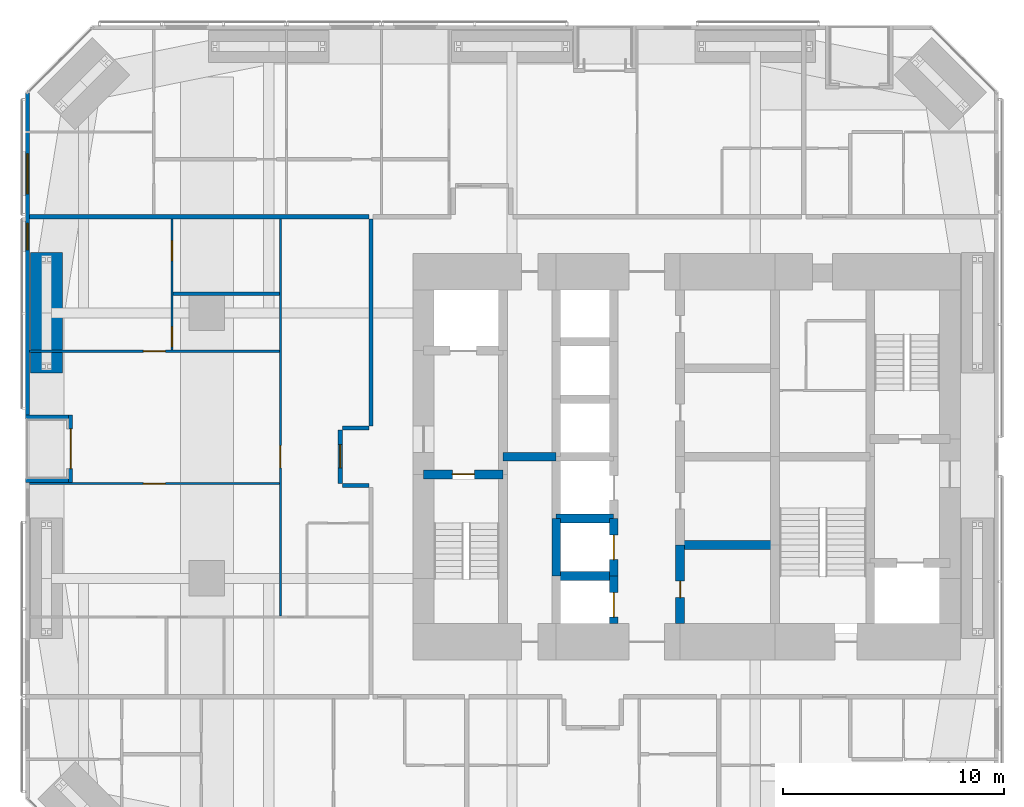
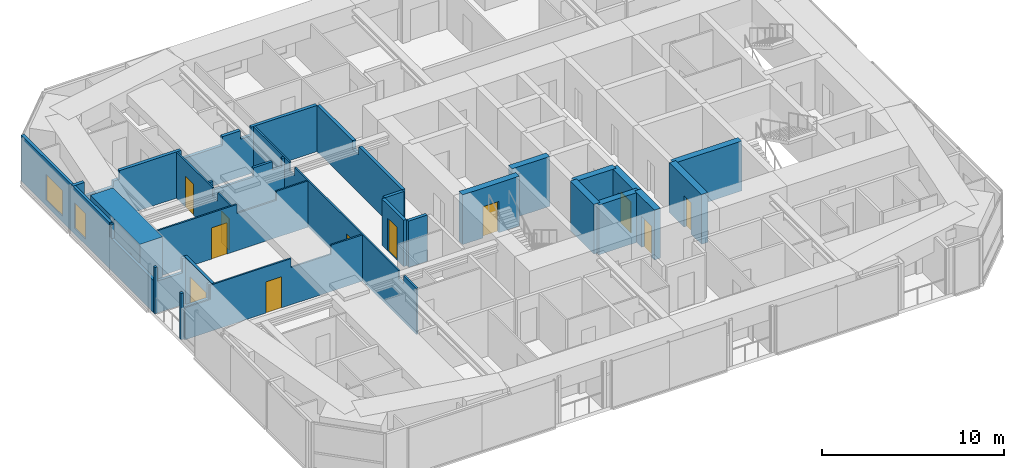
# One storey, part 18 of 23: 24 walls, 11 doors, 2 windows, 13 openings.
"""IFC4 building model written with IfcOpenShell, lengths in metres."""

import ifcopenshell
import ifcopenshell.guid

model = None  # the IFC model being written
_history = None  # IfcOwnerHistory: only IFC2X3 demands one
_inside = {}  # id of a spatial element -> (the spatial element, [elements in it])
_under = {}  # id of a project, library or spatial element -> (it, [spatial elements below it])
_declared = {}  # id of a project -> (the project, [libraries it declares])
_typed = {}  # id of a type object -> (the type object, [elements of that type])
_made_of = {}  # id of a material, layer set ... -> (it, [elements and type objects made of it])


def new_model(schema):
    """Start an empty IFC model of exactly this schema.

    Asked for "IFC4X3", IfcOpenShell would pick the latest addendum, in which some entities
    have other attributes; the version numbers below select the first issue.
    IFC2X3 requires an IfcOwnerHistory on every rooted entity: one is made here for all.
    """
    global model, _history
    if schema == "IFC4X3":
        model = ifcopenshell.file(schema_version=(4, 3, 0, 0))
    else:
        model = ifcopenshell.file(schema=schema)
    _inside.clear()
    _under.clear()
    _declared.clear()
    _typed.clear()
    _made_of.clear()
    _history = None
    if model.schema == "IFC2X3":
        org = make("IfcOrganization", Name="unknown")
        user = make(
            "IfcPersonAndOrganization",
            ThePerson=make("IfcPerson", FamilyName="unknown"),
            TheOrganization=org,
        )
        app = make(
            "IfcApplication",
            ApplicationDeveloper=org,
            Version="unknown",
            ApplicationFullName="unknown",
            ApplicationIdentifier="unknown",
        )
        _history = make(
            "IfcOwnerHistory",
            OwningUser=user,
            OwningApplication=app,
            ChangeAction="ADDED",
            CreationDate=0,
        )
    return model


def make(cls, **values):
    """One entity of the class cls with the attributes given. An attribute that is None is left unset."""
    return model.create_entity(
        cls, **{name: value for name, value in values.items() if value is not None}
    )


def rooted(cls, **values):
    """An entity with a GlobalId (a new one), such as an element, a storey or a relation."""
    return make(cls, GlobalId=ifcopenshell.guid.new(), OwnerHistory=_history, **values)


def si_unit(unit_type, name, prefix=None):
    """IfcSIUnit, for example si_unit("LENGTHUNIT", "METRE", prefix="MILLI")."""
    return make("IfcSIUnit", UnitType=unit_type, Prefix=prefix, Name=name)


def assignment(units):
    """IfcUnitAssignment: the units of a project."""
    return None if units is None else make("IfcUnitAssignment", Units=units)


def point(xyz):
    """IfcCartesianPoint."""
    return None if xyz is None else make("IfcCartesianPoint", Coordinates=xyz)


def direction(xyz):
    """IfcDirection."""
    return None if xyz is None else make("IfcDirection", DirectionRatios=xyz)


def frame(location, z_axis=None, x_axis=None):
    """IfcAxis2Placement3D, a coordinate frame: its origin and axes. An axis left out is left unset."""
    return make(
        "IfcAxis2Placement3D",
        Location=point(location),
        Axis=direction(z_axis),
        RefDirection=direction(x_axis),
    )


def frame_2d(location, x_axis=None):
    """IfcAxis2Placement2D, a coordinate frame in the plane: its origin and x axis."""
    return make(
        "IfcAxis2Placement2D", Location=point(location), RefDirection=direction(x_axis)
    )


def origin():
    """The frame at (0, 0, 0) with its axes left unset."""
    return frame((0.0, 0.0, 0.0))


def place(relative_to, where):
    """IfcLocalPlacement: puts the frame where relative to a parent placement (None: the world)."""
    return make(
        "IfcLocalPlacement", PlacementRelTo=relative_to, RelativePlacement=where
    )


def context(
    kind, dimensions, precision=None, world=None, true_north=None, identifier=None
):
    """IfcGeometricRepresentationContext, for example the 3D "Model" context."""
    return make(
        "IfcGeometricRepresentationContext",
        ContextIdentifier=identifier,
        ContextType=kind,
        CoordinateSpaceDimension=dimensions,
        Precision=precision,
        WorldCoordinateSystem=world,
        TrueNorth=true_north,
    )


def subcontext(parent, identifier, kind, view, scale=None):
    """IfcGeometricRepresentationSubContext, for example "Body" below "Model"."""
    return make(
        "IfcGeometricRepresentationSubContext",
        ContextIdentifier=identifier,
        ContextType=kind,
        ParentContext=parent,
        TargetScale=scale,
        TargetView=view,
    )


def project(units=None, contexts=None):
    """IfcProject with its units and contexts."""
    return rooted(
        "IfcProject",
        Name="project",
        RepresentationContexts=contexts,
        UnitsInContext=assignment(units),
    )


def spatial(cls, under=None, at=None, **own):
    """A site, building, storey or space (cls), placed at a placement, below another one or the project."""
    s = rooted(cls, ObjectPlacement=at, **own)
    if under is not None:
        _under.setdefault(under.id(), (under, []))[1].append(s)
    return s


def polyline(points):
    """IfcPolyline through the points."""
    return make("IfcPolyline", Points=[point(p) for p in points])


def profile(cls, at=None, kind="AREA", **sizes):
    """A parametric profile (cls). Its sizes go by their IFC names, for example OverallWidth=200.0."""
    return make(cls, ProfileType=kind, Position=at, **sizes)


def rectangle(**sizes):
    """IfcRectangleProfileDef."""
    return profile("IfcRectangleProfileDef", **sizes)


def outline(outer, holes=None, kind="AREA"):
    """IfcArbitraryClosedProfileDef: a profile drawn as a closed curve; with holes, ...WithVoids."""
    if holes is None:
        return make("IfcArbitraryClosedProfileDef", ProfileType=kind, OuterCurve=outer)
    return make(
        "IfcArbitraryProfileDefWithVoids",
        ProfileType=kind,
        OuterCurve=outer,
        InnerCurves=holes,
    )


def extrude(swept, where, along, depth):
    """IfcExtrudedAreaSolid: the profile swept, set in the frame where, extruded along a direction by depth."""
    return make(
        "IfcExtrudedAreaSolid",
        SweptArea=swept,
        Position=where,
        ExtrudedDirection=direction(along),
        Depth=depth,
    )


def shape(context_of_items, identifier, shape_type, items):
    """IfcShapeRepresentation: the items that make up one representation, for example the "Body"."""
    return make(
        "IfcShapeRepresentation",
        ContextOfItems=context_of_items,
        RepresentationIdentifier=identifier,
        RepresentationType=shape_type,
        Items=items,
    )


def material(Name=None, Category=None):
    """IfcMaterial."""
    return make("IfcMaterial", Name=Name, Category=Category)


def layer(
    of_material, thickness, ventilated=None, Name=None, Category=None, Priority=None
):
    """IfcMaterialLayer: one layer of a wall or slab, of a material (None: an air gap)."""
    return make(
        "IfcMaterialLayer",
        Material=of_material,
        LayerThickness=thickness,
        IsVentilated=ventilated,
        Name=Name,
        Category=Category,
        Priority=Priority,
    )


def layer_set(layers, Name=None):
    """IfcMaterialLayerSet."""
    return make("IfcMaterialLayerSet", MaterialLayers=layers, LayerSetName=Name)


def constituent(of_material, Name=None, Category=None, fraction=None):
    """IfcMaterialConstituent: one of the materials an element consists of."""
    return make(
        "IfcMaterialConstituent",
        Name=Name,
        Material=of_material,
        Fraction=fraction,
        Category=Category,
    )


def constituent_set(constituents=None, Name=None):
    """IfcMaterialConstituentSet."""
    return make(
        "IfcMaterialConstituentSet", Name=Name, MaterialConstituents=constituents
    )


def made_of(thing, what):
    """Note that an element or type object is made of a material, layer set ...; save() writes the relation."""
    if what is not None:
        _made_of.setdefault(what.id(), (what, []))[1].append(thing)
    return thing


def type_object(cls, material=None, **own):
    """A type object (cls), such as IfcWallType, which elements share."""
    return made_of(rooted(cls, **own), material)


def element(
    cls,
    number,
    at=None,
    inside=None,
    cuts=None,
    type_object=None,
    material=None,
    context=None,
    identifier="Body",
    shape_type=None,
    held_by="IfcProductDefinitionShape",
    body=None,
    shapes=None,
    **own,
):
    """One element of the class cls, such as IfcWall. Its Tag is "e" and its number.

    at: its placement. inside: the storey or other place that contains it. cuts: it is an
    opening in that element (IfcRelVoidsElement). A single representation is given by context,
    identifier, shape_type and body (its items); several are given by shapes. held_by: the class
    of the entity that holds the representations. save() writes the other relations.
    """
    e = rooted(cls, Tag="e%d" % number, ObjectPlacement=at, **own)
    if body is not None:
        shapes = [shape(context, identifier, shape_type, body)]
    if shapes is not None:
        e.Representation = make(held_by, Representations=shapes)
    if inside is not None:
        _inside.setdefault(inside.id(), (inside, []))[1].append(e)
    if cuts is not None:
        rooted(
            "IfcRelVoidsElement", RelatingBuildingElement=cuts, RelatedOpeningElement=e
        )
    if type_object is not None:
        _typed.setdefault(type_object.id(), (type_object, []))[1].append(e)
    return made_of(e, material)


def fill(opening, filler):
    """IfcRelFillsElement: the door or window that sits in an opening."""
    return rooted(
        "IfcRelFillsElement",
        RelatingOpeningElement=opening,
        RelatedBuildingElement=filler,
    )


def aggregate(whole, parts):
    """IfcRelAggregates: a whole, such as a stair, and the parts it consists of."""
    return rooted("IfcRelAggregates", RelatingObject=whole, RelatedObjects=parts)


def save(model, path):
    """Write the relations noted so far, then the file.

    IfcRelAggregates (storeys below a building ...), IfcRelContainedInSpatialStructure (elements
    in a storey), IfcRelDefinesByType, IfcRelAssociatesMaterial and IfcRelDeclares: one each for
    every whole, place, type object, material and project.
    """
    for whole, parts in _under.values():
        aggregate(whole, parts)
    for where, things in _inside.values():
        rooted(
            "IfcRelContainedInSpatialStructure",
            RelatedElements=things,
            RelatingStructure=where,
        )
    for kind, things in _typed.values():
        rooted("IfcRelDefinesByType", RelatedObjects=things, RelatingType=kind)
    for what, things in _made_of.values():
        rooted("IfcRelAssociatesMaterial", RelatedObjects=things, RelatingMaterial=what)
    for by, libraries in _declared.values():
        rooted("IfcRelDeclares", RelatingContext=by, RelatedDefinitions=libraries)
    model.write(path)


model = new_model("IFC4")

# Units and contexts
model_context = context("Model", 3, precision=1e-05, world=origin(), true_north=direction((0.0, 1.0)))
body_context = subcontext(model_context, "Body", "Model", "MODEL_VIEW")
ifc_project = project(units=[si_unit("LENGTHUNIT", "METRE"), si_unit("AREAUNIT", "SQUARE_METRE"), si_unit("VOLUMEUNIT", "CUBIC_METRE"), si_unit("PLANEANGLEUNIT", "RADIAN"), si_unit("MASSUNIT", "GRAM", prefix="KILO")], contexts=[model_context])

# Site, building, storey
site_placement = place(None, origin())
site = spatial("IfcSite", under=ifc_project, at=site_placement, CompositionType="ELEMENT")
building_placement = place(site_placement, origin())
building = spatial("IfcBuilding", under=site, at=building_placement, Name="Jalousie Tower", CompositionType="ELEMENT")
storey_placement = place(building_placement, frame((0.0, 0.0, 31.050048828125)))
storey = spatial("IfcBuildingStorey", under=building, at=storey_placement, Name="L07", CompositionType="ELEMENT", Elevation=31.050048828125)

# Walls
ifc_material_1 = material(Name="Concrete block ASTM C90", Category="concrete")
ifc_constituent_1 = constituent(ifc_material_1, Name="Body")
ifc_material_2 = material(Name="Render")
ifc_constituent_2 = constituent(ifc_material_2, Name="Finish")
ifc_constituent_set_1 = constituent_set(constituents=[ifc_constituent_1, ifc_constituent_2])
wall_type_1 = type_object("IfcWallType", Name="BATHROOM WALL 150", PredefinedType="PLUMBINGWALL", material=ifc_constituent_set_1)
wall_1_placement = place(storey_placement, frame((8.675048828125, 25.875, 0.0), z_axis=(0.0, 0.0, 1.0), x_axis=(1.0, 0.0, 0.0)))
element("IfcWall", 1, at=wall_1_placement, inside=storey, type_object=wall_type_1, Name="Bathroom Wall 150 L07", PredefinedType="PLUMBINGWALL", context=body_context, shape_type="SweptSolid", body=[
    extrude(outline(polyline([(0.0, 0.0), (4.800048828125, 0.0), (4.800048828125, 3.10986328125), (4.63720703125, 3.10986328125), (4.63720703125, 2.541015625), (4.0126953125, 2.541015625), (4.0126953125, 3.10986328125), (2.81005859375, 3.10986328125), (2.81005859375, 2.510009765625), (0.239990234375, 2.510009765625), (0.239990234375, 3.10986328125), (0.0, 3.10986328125), (0.0, 0.0)])), frame((0.0, 0.074951171875, 0.0), z_axis=(0.0, -1.0, 0.0), x_axis=(1.0, 0.0, 0.0)), (0.0, 0.0, 1.0), 0.14990234375),
])
ifc_material_3 = material(Name="Concrete f'c 120 MPa", Category="concrete")
ifc_layer_1 = layer(ifc_material_3, 0.39990234375)
ifc_layer_set_1 = layer_set([ifc_layer_1], Name="Concrete f'c 120 MPa")
wall_type_2 = type_object("IfcWallType", Name="CORE WALL 400", PredefinedType="SHEAR", material=ifc_layer_set_1)
wall_2_placement = place(storey_placement, frame((26.0, 13.10009765625, 0.0), z_axis=(0.0, 0.0, 1.0), x_axis=(0.0, 1.0, 0.0)))
element("IfcWall", 2, at=wall_2_placement, inside=storey, type_object=wall_type_2, Name="Core wall X26B L07", PredefinedType="SHEAR", context=body_context, shape_type="SweptSolid", body=[
    extrude(rectangle(XDim=2.599853515625, YDim=0.39990234375, at=frame_2d((1.2998046875, 0.0))), origin(), (0.0, 0.0, 1.0), 3.349853515625),
])

# Wall, opening, door
wall_3_placement = place(storey_placement, frame((28.60009765625, 10.949951171875, 0.0), z_axis=(0.0, 0.0, 1.0), x_axis=(0.0, 1.0, 0.0)))
wall_3 = element("IfcWall", 3, at=wall_3_placement, inside=storey, type_object=wall_type_2, Name="Core wall X28.6A L07", PredefinedType="SHEAR", context=body_context, shape_type="SweptSolid", body=[
    extrude(rectangle(XDim=2.150146484375, YDim=0.39990234375, at=frame_2d((1.0751953125, 0.0))), origin(), (0.0, 0.0, 1.0), 3.349853515625),
])
opening_1_placement = place(wall_3_placement, frame((0.300048828125, 0.0, 0.0)))
opening_1 = element("IfcOpeningElement", 4, at=opening_1_placement, cuts=wall_3, Name="Opening LD1", PredefinedType="OPENING", context=body_context, shape_type="SweptSolid", body=[
    extrude(rectangle(XDim=1.10009765625, YDim=2.10009765625, at=frame_2d((0.550048828125, 1.050048828125))), frame((0.0, 0.2099609375, 0.0), z_axis=(0.0, -1.0, 0.0), x_axis=(1.0, 0.0, 0.0)), (0.0, 0.0, 1.0), 0.419921875),
])
ifc_material_4 = material(Name="Steel lift landing door", Category="steel")
door_type_1 = type_object("IfcDoorType", Name="LIFT LANDING DOOR 1100", OperationType="SLIDING_TO_LEFT", PredefinedType="DOOR", material=ifc_material_4)
door_1_placement = place(opening_1_placement, origin())
door_1 = element("IfcDoor", 5, at=door_1_placement, inside=storey, type_object=door_type_1, Name="Lift P1 landing door", OperationType="SLIDING_TO_LEFT", OverallHeight=2.10009765625, OverallWidth=1.10009765625, PredefinedType="DOOR", context=body_context, shape_type="SweptSolid", body=[
    extrude(rectangle(XDim=1.10009765625, YDim=2.10009765625, at=frame_2d((0.550048828125, 1.050048828125))), frame((0.0, 0.02490234375, 0.0), z_axis=(0.0, -1.0, 0.0), x_axis=(1.0, 0.0, 0.0)), (0.0, 0.0, 1.0), 0.050048828125),
])
fill(opening_1, door_1)

wall_4_placement = place(storey_placement, frame((28.60009765625, 13.10009765625, 0.0), z_axis=(0.0, 0.0, 1.0), x_axis=(0.0, 1.0, 0.0)))
wall_4 = element("IfcWall", 6, at=wall_4_placement, inside=storey, type_object=wall_type_2, Name="Core wall X28.6B L07", PredefinedType="SHEAR", context=body_context, shape_type="SweptSolid", body=[
    extrude(rectangle(XDim=2.599853515625, YDim=0.39990234375, at=frame_2d((1.2998046875, 0.0))), origin(), (0.0, 0.0, 1.0), 3.349853515625),
])
opening_2_placement = place(wall_4_placement, frame((0.75, 0.0, 0.0)))
opening_2 = element("IfcOpeningElement", 7, at=opening_2_placement, cuts=wall_4, Name="Opening LD1", PredefinedType="OPENING", context=body_context, shape_type="SweptSolid", body=[
    extrude(rectangle(XDim=1.10009765625, YDim=2.10009765625, at=frame_2d((0.550048828125, 1.050048828125))), frame((0.0, 0.2099609375, 0.0), z_axis=(0.0, -1.0, 0.0), x_axis=(1.0, 0.0, 0.0)), (0.0, 0.0, 1.0), 0.419921875),
])
door_2_placement = place(opening_2_placement, origin())
door_2 = element("IfcDoor", 8, at=door_2_placement, inside=storey, type_object=door_type_1, Name="Lift P2 landing door", OperationType="SLIDING_TO_LEFT", OverallHeight=2.10009765625, OverallWidth=1.10009765625, PredefinedType="DOOR", context=body_context, shape_type="SweptSolid", body=[
    extrude(rectangle(XDim=1.10009765625, YDim=2.10009765625, at=frame_2d((0.550048828125, 1.050048828125))), frame((0.0, 0.02490234375, 0.0), z_axis=(0.0, -1.0, 0.0), x_axis=(1.0, 0.0, 0.0)), (0.0, 0.0, 1.0), 0.050048828125),
])
fill(opening_2, door_2)

wall_5_placement = place(storey_placement, frame((31.60009765625, 10.949951171875, 0.0), z_axis=(0.0, 0.0, 1.0), x_axis=(0.0, 1.0, 0.0)))
wall_5 = element("IfcWall", 9, at=wall_5_placement, inside=storey, type_object=wall_type_2, Name="Core wall X31.6A L07", PredefinedType="SHEAR", context=body_context, shape_type="SweptSolid", body=[
    extrude(rectangle(XDim=3.550048828125, YDim=0.39990234375, at=frame_2d((1.77490234375, 0.0))), origin(), (0.0, 0.0, 1.0), 3.349853515625),
])
opening_3_placement = place(wall_5_placement, frame((1.175048828125, 0.0, 0.0)))
opening_3 = element("IfcOpeningElement", 10, at=opening_3_placement, cuts=wall_5, Name="Opening D16", PredefinedType="OPENING", context=body_context, shape_type="SweptSolid", body=[
    extrude(rectangle(XDim=0.75, YDim=2.10009765625, at=frame_2d((0.375, 1.050048828125))), frame((0.0, 0.2099609375, 0.0), z_axis=(0.0, -1.0, 0.0), x_axis=(1.0, 0.0, 0.0)), (0.0, 0.0, 1.0), 0.419921875),
])
ifc_material_5 = material(Name="Steel fire door", Category="steel")
door_type_2 = type_object("IfcDoorType", Name="RISER DOOR 750", OperationType="SINGLE_SWING_LEFT", PredefinedType="DOOR", material=ifc_material_5)
door_3_placement = place(opening_3_placement, frame((0.75, 0.0, 0.0), z_axis=(0.0, 0.0, 1.0), x_axis=(-1.0, 0.0, 0.0)))
door_3 = element("IfcDoor", 11, at=door_3_placement, inside=storey, type_object=door_type_2, Name="Refuse Room door", OperationType="SINGLE_SWING_RIGHT", OverallHeight=2.10009765625, OverallWidth=0.75, PredefinedType="DOOR", context=body_context, shape_type="SweptSolid", body=[
    extrude(rectangle(XDim=0.75, YDim=2.10009765625, at=frame_2d((0.375, 1.050048828125))), frame((0.0, 0.02490234375, 0.0), z_axis=(0.0, -1.0, 0.0), x_axis=(1.0, 0.0, 0.0)), (0.0, 0.0, 1.0), 0.050048828125),
])
fill(opening_3, door_3)

wall_6_placement = place(storey_placement, frame((20.0, 17.699951171875, 0.0), z_axis=(0.0, 0.0, 1.0), x_axis=(1.0, 0.0, 0.0)))
wall_6 = element("IfcWall", 12, at=wall_6_placement, inside=storey, type_object=wall_type_2, Name="Core wall Y20-17.7 L07", PredefinedType="SHEAR", context=body_context, shape_type="SweptSolid", body=[
    extrude(rectangle(XDim=3.60009765625, YDim=0.39990234375, at=frame_2d((1.800048828125, 0.0))), origin(), (0.0, 0.0, 1.0), 3.349853515625),
])
opening_4_placement = place(wall_6_placement, frame((1.300048828125, 0.0, 0.0)))
opening_4 = element("IfcOpeningElement", 13, at=opening_4_placement, cuts=wall_6, Name="Opening D10", PredefinedType="OPENING", context=body_context, shape_type="SweptSolid", body=[
    extrude(rectangle(XDim=1.0, YDim=2.10009765625, at=frame_2d((0.5, 1.050048828125))), frame((0.0, 0.2099609375, 0.0), z_axis=(0.0, -1.0, 0.0), x_axis=(1.0, 0.0, 0.0)), (0.0, 0.0, 1.0), 0.419921875),
])
ifc_material_6 = material(Name="Steel fire door", Category="steel")
door_type_3 = type_object("IfcDoorType", Name="STAIR DOOR 1000", OperationType="SINGLE_SWING_LEFT", PredefinedType="DOOR", material=ifc_material_6)
door_4_placement = place(opening_4_placement, frame((1.0, 0.0, 0.0), z_axis=(0.0, 0.0, 1.0), x_axis=(-1.0, 0.0, 0.0)))
door_4 = element("IfcDoor", 14, at=door_4_placement, inside=storey, type_object=door_type_3, Name="Exit stair A door", OperationType="SINGLE_SWING_RIGHT", OverallHeight=2.10009765625, OverallWidth=1.0, PredefinedType="DOOR", context=body_context, shape_type="SweptSolid", body=[
    extrude(rectangle(XDim=1.0, YDim=2.10009765625, at=frame_2d((0.5, 1.050048828125))), frame((0.0, 0.02490234375, 0.0), z_axis=(0.0, -1.0, 0.0), x_axis=(1.0, 0.0, 0.0)), (0.0, 0.0, 1.0), 0.050048828125),
])
fill(opening_4, door_4)

# Walls
wall_7_placement = place(storey_placement, frame((23.60009765625, 18.5, 0.0), z_axis=(0.0, 0.0, 1.0), x_axis=(1.0, 0.0, 0.0)))
element("IfcWall", 15, at=wall_7_placement, inside=storey, type_object=wall_type_2, Name="Core wall Y23.6-18.5 L07", PredefinedType="SHEAR", context=body_context, shape_type="SweptSolid", body=[
    extrude(rectangle(XDim=2.39990234375, YDim=0.39990234375, at=frame_2d((1.199951171875, 0.0))), origin(), (0.0, 0.0, 1.0), 3.349853515625),
])
for number, where, z_axis, x_axis, name in (
    (16, (26.0, 13.10009765625, 0.0), (0.0, 0.0, 1.0), (1.0, 0.0, 0.0), "Core wall Y26-13.1 L07"),
    (17, (26.0, 15.699951171875, 0.0), (0.0, 0.0, 1.0), (1.0, 0.0, 0.0), "Core wall Y26-15.7 L07"),
):
    element("IfcWall", number, at=place(storey_placement, frame(where, z_axis=z_axis, x_axis=x_axis)), inside=storey, type_object=wall_type_2, Name=name, PredefinedType="SHEAR", context=body_context, shape_type="SweptSolid", body=[
        extrude(rectangle(XDim=2.60009765625, YDim=0.39990234375, at=frame_2d((1.300048828125, 0.0))), origin(), (0.0, 0.0, 1.0), 3.349853515625),
    ])
wall_8_placement = place(storey_placement, frame((31.60009765625, 14.5, 0.0), z_axis=(0.0, 0.0, 1.0), x_axis=(1.0, 0.0, 0.0)))
element("IfcWall", 18, at=wall_8_placement, inside=storey, type_object=wall_type_2, Name="Core wall Y31.6-14.5 L07", PredefinedType="SHEAR", context=body_context, shape_type="SweptSolid", body=[
    extrude(rectangle(XDim=4.2998046875, YDim=0.39990234375, at=frame_2d((2.14990234375, 0.0))), origin(), (0.0, 0.0, 1.0), 3.349853515625),
])
ifc_material_7 = material(Name="Concrete block ASTM C90", Category="concrete")
ifc_constituent_3 = constituent(ifc_material_7, Name="Body")
ifc_material_8 = material(Name="Render")
ifc_constituent_4 = constituent(ifc_material_8, Name="Finish")
ifc_constituent_set_2 = constituent_set(constituents=[ifc_constituent_3, ifc_constituent_4])
wall_type_3 = type_object("IfcWallType", Name="CORRIDOR WALL 200", PredefinedType="PARTITIONING", material=ifc_constituent_set_2)
wall_9_placement = place(storey_placement, frame((17.625, 19.89990234375, 0.0), z_axis=(0.0, 0.0, 1.0), x_axis=(0.0, 1.0, 0.0)))
element("IfcWall", 19, at=wall_9_placement, inside=storey, type_object=wall_type_3, Name="Corridor Wall 200 L07", PredefinedType="PARTITIONING", context=body_context, shape_type="SweptSolid", body=[
    extrude(outline(polyline([(0.0, 0.0), (9.35009765625, 0.0), (9.35009765625, 3.10986328125), (5.437255859375, 3.10986328125), (5.437255859375, 2.541015625), (4.7626953125, 2.541015625), (4.7626953125, 3.10986328125), (0.0, 3.10986328125), (0.0, 0.0)])), frame((0.0, 0.10009765625, 0.0), z_axis=(0.0, -1.0, 0.0), x_axis=(1.0, 0.0, 0.0)), (0.0, 0.0, 1.0), 0.199951171875),
])

# Wall, opening, door
wall_10_placement = place(storey_placement, frame((16.22509765625, 17.300048828125, 0.0), z_axis=(0.0, 0.0, 1.0), x_axis=(0.0, 1.0, 0.0)))
wall_10 = element("IfcWall", 20, at=wall_10_placement, inside=storey, type_object=wall_type_3, Name="Corridor Wall 200 L07", PredefinedType="PARTITIONING", context=body_context, shape_type="SweptSolid", body=[
    extrude(rectangle(XDim=2.39990234375, YDim=0.199951171875, at=frame_2d((1.199951171875, 0.0))), origin(), (0.0, 0.0, 1.0), 3.10986328125),
])
opening_5_placement = place(wall_10_placement, frame((0.699951171875, 0.0, 0.0)))
opening_5 = element("IfcOpeningElement", 21, at=opening_5_placement, cuts=wall_10, Name="Opening D1", PredefinedType="OPENING", context=body_context, shape_type="SweptSolid", body=[
    extrude(rectangle(XDim=1.050048828125, YDim=2.199951171875, at=frame_2d((0.52490234375, 1.10009765625))), frame((0.0, 0.10986328125, 0.0), z_axis=(0.0, -1.0, 0.0), x_axis=(1.0, 0.0, 0.0)), (0.0, 0.0, 1.0), 0.219970703125),
])
ifc_material_9 = material(Name="Timber fire door", Category="wood")
door_type_4 = type_object("IfcDoorType", Name="APARTMENT ENTRANCE DOOR 1050", OperationType="SINGLE_SWING_LEFT", PredefinedType="DOOR", material=ifc_material_9)
door_5_placement = place(opening_5_placement, origin())
door_5 = element("IfcDoor", 22, at=door_5_placement, inside=storey, type_object=door_type_4, Name="Apartment 0706 entrance", OperationType="SINGLE_SWING_LEFT", OverallHeight=2.199951171875, OverallWidth=1.050048828125, PredefinedType="DOOR", context=body_context, shape_type="SweptSolid", body=[
    extrude(rectangle(XDim=1.050048828125, YDim=2.199951171875, at=frame_2d((0.52490234375, 1.10009765625))), frame((0.0, 0.02490234375, 0.0), z_axis=(0.0, -1.0, 0.0), x_axis=(1.0, 0.0, 0.0)), (0.0, 0.0, 1.0), 0.050048828125),
])
fill(opening_5, door_5)

# Walls
for number, where, z_axis, x_axis, name in (
    (23, (17.52490234375, 17.199951171875, 0.0), (0.0, 0.0, 1.0), (-1.0, 0.0, 0.0), "Corridor Wall 200 L07"),
    (24, (17.52490234375, 19.800048828125, 0.0), (0.0, 0.0, 1.0), (-1.0, 0.0, 0.0), "Corridor Wall 200 L07"),
):
    element("IfcWall", number, at=place(storey_placement, frame(where, z_axis=z_axis, x_axis=x_axis)), inside=storey, type_object=wall_type_3, Name=name, PredefinedType="PARTITIONING", context=body_context, shape_type="SweptSolid", body=[
        extrude(rectangle(XDim=1.199951171875, YDim=0.199951171875, at=frame_2d((0.60009765625, 0.0))), origin(), (0.0, 0.0, 1.0), 3.10986328125),
    ])

# Wall, openings, windows
ifc_material_10 = material(Name="Concrete f'c 40 MPa", Category="concrete")
ifc_constituent_5 = constituent(ifc_material_10, Name="Body")
ifc_material_11 = material(Name="Render, pastel coral")
ifc_constituent_6 = constituent(ifc_material_11, Name="Finish")
ifc_constituent_set_3 = constituent_set(constituents=[ifc_constituent_5, ifc_constituent_6])
wall_type_4 = type_object("IfcWallType", Name="EXTERNAL WALL 175 CORAL RENDER", PredefinedType="SOLIDWALL", material=ifc_constituent_set_3)
wall_11_placement = place(storey_placement, frame((2.08740234375, 34.94873046875, 0.0), z_axis=(0.0, 0.0, 1.0), x_axis=(0.0, -1.0, 0.0)))
wall_11 = element("IfcWall", 25, at=wall_11_placement, inside=storey, type_object=wall_type_4, Name="External Wall 175 Coral Render L07", PredefinedType="SOLIDWALL", context=body_context, shape_type="SweptSolid", body=[
    extrude(outline(polyline([(0.0, 0.0), (14.55712890625, 0.0), (14.556884765625, 2.14990234375), (9.94873046875, 2.14990234375), (9.94873046875, 3.10986328125), (9.822998046875, 3.10986328125), (9.822998046875, 2.14990234375), (9.72998046875, 2.14990234375), (9.72998046875, 3.10986328125), (0.0, 3.10986328125), (0.0, 0.0)])), frame((0.0, 0.08740234375, 0.0), z_axis=(0.0, -1.0, 0.0), x_axis=(1.0, 0.0, 0.0)), (0.0, 0.0, 1.0), 0.175048828125),
])
opening_6_placement = place(wall_11_placement, frame((2.75732421875, 0.0, 0.39990234375)))
opening_6 = element("IfcOpeningElement", 26, at=opening_6_placement, cuts=wall_11, Name="Opening W-BED170", PredefinedType="OPENING", context=body_context, shape_type="SweptSolid", body=[
    extrude(rectangle(XDim=1.800048828125, YDim=1.699951171875, at=frame_2d((0.89990234375, 0.85009765625))), frame((0.0, 0.097412109375, 0.0), z_axis=(0.0, -1.0, 0.0), x_axis=(1.0, 0.0, 0.0)), (0.0, 0.0, 1.0), 0.195068359375),
])
opening_7_placement = place(wall_11_placement, frame((5.898681640625, 0.0, 0.39990234375)))
opening_7 = element("IfcOpeningElement", 27, at=opening_7_placement, cuts=wall_11, Name="Opening W-COR170", PredefinedType="OPENING", context=body_context, shape_type="SweptSolid", body=[
    extrude(rectangle(XDim=1.199951171875, YDim=1.699951171875, at=frame_2d((0.60009765625, 0.85009765625))), frame((0.0, 0.097412109375, 0.0), z_axis=(0.0, -1.0, 0.0), x_axis=(1.0, 0.0, 0.0)), (0.0, 0.0, 1.0), 0.195068359375),
])
ifc_material_12 = material(Name="Aluminium frame, impact-rated glazing", Category="aluminium")
window_type_1 = type_object("IfcWindowType", Name="WINDOW BED 1800x1700", PartitioningType="SINGLE_PANEL", PredefinedType="WINDOW", material=ifc_material_12)
window_1_placement = place(opening_6_placement, origin())
window_1 = element("IfcWindow", 28, at=window_1_placement, inside=storey, type_object=window_type_1, Name="Apartment 0704 bedroom 1 window", OverallHeight=1.699951171875, OverallWidth=1.800048828125, PartitioningType="SINGLE_PANEL", PredefinedType="WINDOW", context=body_context, shape_type="SweptSolid", body=[
    extrude(rectangle(XDim=1.800048828125, YDim=1.699951171875, at=frame_2d((0.89990234375, 0.85009765625))), frame((0.0, 0.030029296875, 0.0), z_axis=(0.0, -1.0, 0.0), x_axis=(1.0, 0.0, 0.0)), (0.0, 0.0, 1.0), 0.06005859375),
])
fill(opening_6, window_1)
ifc_material_13 = material(Name="Aluminium frame, impact-rated glazing", Category="aluminium")
window_type_2 = type_object("IfcWindowType", Name="WINDOW COR 1200x1700", PartitioningType="SINGLE_PANEL", PredefinedType="WINDOW", material=ifc_material_13)
window_2_placement = place(opening_7_placement, origin())
window_2 = element("IfcWindow", 29, at=window_2_placement, inside=storey, type_object=window_type_2, Name="Apartment 0706 bedroom 2 window", OverallHeight=1.699951171875, OverallWidth=1.199951171875, PartitioningType="SINGLE_PANEL", PredefinedType="WINDOW", context=body_context, shape_type="SweptSolid", body=[
    extrude(rectangle(XDim=1.199951171875, YDim=1.699951171875, at=frame_2d((0.60009765625, 0.85009765625))), frame((0.0, 0.030029296875, 0.0), z_axis=(0.0, -1.0, 0.0), x_axis=(1.0, 0.0, 0.0)), (0.0, 0.0, 1.0), 0.06005859375),
])
fill(opening_7, window_2)

# Wall, opening, door
wall_12_placement = place(storey_placement, frame((4.03759765625, 20.3916015625, 0.0), z_axis=(0.0, 0.0, 1.0), x_axis=(0.0, -1.0, 0.0)))
wall_12 = element("IfcWall", 30, at=wall_12_placement, inside=storey, type_object=wall_type_4, Name="External Wall 175 Coral Render L07", PredefinedType="SOLIDWALL", context=body_context, shape_type="SweptSolid", body=[
    extrude(rectangle(XDim=3.058349609375, YDim=0.175048828125, at=frame_2d((1.529296875, 0.0))), origin(), (0.0, 0.0, 1.0), 3.10986328125),
])
opening_8_placement = place(wall_12_placement, frame((0.629150390625, 0.0, 0.0)))
opening_8 = element("IfcOpeningElement", 31, at=opening_8_placement, cuts=wall_12, Name="Opening D-BAL21", PredefinedType="OPENING", context=body_context, shape_type="SweptSolid", body=[
    extrude(rectangle(XDim=1.800048828125, YDim=2.10009765625, at=frame_2d((0.89990234375, 1.050048828125))), frame((0.0, 0.097412109375, 0.0), z_axis=(0.0, -1.0, 0.0), x_axis=(1.0, 0.0, 0.0)), (0.0, 0.0, 1.0), 0.195068359375),
])
ifc_material_14 = material(Name="Aluminium frame, impact-rated glazing", Category="aluminium")
door_type_5 = type_object("IfcDoorType", Name="BALCONY DOOR 1800x2100", OperationType="SLIDING_TO_LEFT", PredefinedType="DOOR", material=ifc_material_14)
door_6_placement = place(opening_8_placement, origin())
door_6 = element("IfcDoor", 32, at=door_6_placement, inside=storey, type_object=door_type_5, Name="Apartment 0706 living room loggia door", OperationType="SLIDING_TO_LEFT", OverallHeight=2.10009765625, OverallWidth=1.800048828125, PredefinedType="DOOR", context=body_context, shape_type="SweptSolid", body=[
    extrude(rectangle(XDim=1.800048828125, YDim=2.10009765625, at=frame_2d((0.89990234375, 1.050048828125))), frame((0.0, 0.02490234375, 0.0), z_axis=(0.0, -1.0, 0.0), x_axis=(1.0, 0.0, 0.0)), (0.0, 0.0, 1.0), 0.050048828125),
])
fill(opening_8, door_6)

# Walls
for number, where, z_axis, x_axis, name in (
    (33, (2.0, 20.30419921875, 0.0), (0.0, 0.0, 1.0), (1.0, 0.0, 0.0), "External Wall 175 Coral Render L07"),
    (34, (2.0, 17.4208984375, 0.0), (0.0, 0.0, 1.0), (1.0, 0.0, 0.0), "External Wall 175 Coral Render L07"),
):
    element("IfcWall", number, at=place(storey_placement, frame(where, z_axis=z_axis, x_axis=x_axis)), inside=storey, type_object=wall_type_4, Name=name, PredefinedType="SOLIDWALL", context=body_context, shape_type="SweptSolid", body=[
        extrude(outline(polyline([(0.0, 0.0), (1.949951171875, 0.0), (1.949951171875, 3.10986328125), (1.75, 3.10986328125), (1.75, 2.14990234375), (0.14990234375, 2.14990234375), (0.14990234375, 3.10986328125), (0.0, 3.10986328125), (0.0, 0.0)])), frame((0.0, 0.08740234375, 0.0), z_axis=(0.0, -1.0, 0.0), x_axis=(1.0, 0.0, 0.0)), (0.0, 0.0, 1.0), 0.175048828125),
    ])

# Wall, opening, door
ifc_material_15 = material(Name="Gypsum board", Category="gypsum")
ifc_constituent_7 = constituent(ifc_material_15, Name="Body")
ifc_material_16 = material(Name="Light-gauge steel studs ASTM A653 SS Grade 33", Category="steel")
ifc_constituent_8 = constituent(ifc_material_16, Name="Framing")
ifc_constituent_set_4 = constituent_set(constituents=[ifc_constituent_7, ifc_constituent_8])
wall_type_5 = type_object("IfcWallType", Name="PARTITION 100", PredefinedType="PARTITIONING", material=ifc_constituent_set_4)
wall_13_placement = place(storey_placement, frame((13.52490234375, 11.300048828125, 0.0), z_axis=(0.0, 0.0, 1.0), x_axis=(0.0, 1.0, 0.0)))
wall_13 = element("IfcWall", 35, at=wall_13_placement, inside=storey, type_object=wall_type_5, Name="Partition 100 L07", PredefinedType="PARTITIONING", context=body_context, shape_type="SweptSolid", body=[
    extrude(outline(polyline([(0.0, 0.0), (17.949951171875, 0.0), (17.949951171875, 3.10986328125), (13.9873046875, 3.10986328125), (13.9873046875, 2.541015625), (13.41259765625, 2.541015625), (13.41259765625, 3.10986328125), (1.9873046875, 3.10986328125), (1.9873046875, 2.541015625), (1.41259765625, 2.541015625), (1.41259765625, 3.10986328125), (0.0, 3.10986328125), (0.0, 0.0)])), frame((0.0, 0.050048828125, 0.0), z_axis=(0.0, -1.0, 0.0), x_axis=(1.0, 0.0, 0.0)), (0.0, 0.0, 1.0), 0.10009765625),
])
opening_9_placement = place(wall_13_placement, frame((6.699951171875, 0.0, 0.0)))
opening_9 = element("IfcOpeningElement", 36, at=opening_9_placement, cuts=wall_13, Name="Opening D6", PredefinedType="OPENING", context=body_context, shape_type="SweptSolid", body=[
    extrude(rectangle(XDim=1.0, YDim=2.10009765625, at=frame_2d((0.5, 1.050048828125))), frame((0.0, 0.06005859375, 0.0), z_axis=(0.0, -1.0, 0.0), x_axis=(1.0, 0.0, 0.0)), (0.0, 0.0, 1.0), 0.1201171875),
])
ifc_material_17 = material(Name="Timber door", Category="wood")
door_type_6 = type_object("IfcDoorType", Name="INTERNAL DOOR 1000", OperationType="SINGLE_SWING_LEFT", PredefinedType="DOOR", material=ifc_material_17)
door_7_placement = place(opening_9_placement, origin())
door_7 = element("IfcDoor", 37, at=door_7_placement, inside=storey, type_object=door_type_6, Name="Apartment 0706 living room door", OperationType="SINGLE_SWING_LEFT", OverallHeight=2.10009765625, OverallWidth=1.0, PredefinedType="DOOR", context=body_context, shape_type="SweptSolid", body=[
    extrude(rectangle(XDim=1.0, YDim=2.10009765625, at=frame_2d((0.5, 1.050048828125))), frame((0.0, 0.02490234375, 0.0), z_axis=(0.0, -1.0, 0.0), x_axis=(1.0, 0.0, 0.0)), (0.0, 0.0, 1.0), 0.050048828125),
])
fill(opening_9, door_7)

wall_14_placement = place(storey_placement, frame((2.175048828125, 17.283203125, 0.0), z_axis=(0.0, 0.0, 1.0), x_axis=(1.0, 0.0, 0.0)))
wall_14 = element("IfcWall", 38, at=wall_14_placement, inside=storey, type_object=wall_type_5, Name="Partition 100 L07", PredefinedType="PARTITIONING", context=body_context, shape_type="SweptSolid", body=[
    extrude(outline(polyline([(0.0, 0.0), (11.300048828125, 0.0), (11.300048828125, 3.10986328125), (9.284912109375, 3.10986328125), (9.284912109375, 2.510009765625), (6.764892578125, 2.510009765625), (6.764892578125, 3.10986328125), (1.635009765625, 3.10986328125), (1.635009765625, 2.14990234375), (0.0, 2.14990234375), (0.0, 3.10986328125), (0.0, 0.0)])), frame((0.0, 0.050048828125, 0.0), z_axis=(0.0, -1.0, 0.0), x_axis=(1.0, 0.0, 0.0)), (0.0, 0.0, 1.0), 0.10009765625),
])
opening_10_placement = place(wall_14_placement, frame((5.14990234375, 0.0, 0.0)))
opening_10 = element("IfcOpeningElement", 39, at=opening_10_placement, cuts=wall_14, Name="Opening D6", PredefinedType="OPENING", context=body_context, shape_type="SweptSolid", body=[
    extrude(rectangle(XDim=1.0, YDim=2.10009765625, at=frame_2d((0.5, 1.050048828125))), frame((0.0, 0.06005859375, 0.0), z_axis=(0.0, -1.0, 0.0), x_axis=(1.0, 0.0, 0.0)), (0.0, 0.0, 1.0), 0.1201171875),
])
door_8_placement = place(opening_10_placement, frame((1.0, 0.0, 0.0), z_axis=(0.0, 0.0, 1.0), x_axis=(-1.0, 0.0, 0.0)))
door_8 = element("IfcDoor", 40, at=door_8_placement, inside=storey, type_object=door_type_6, Name="Apartment 0706 dining room door", OperationType="SINGLE_SWING_RIGHT", OverallHeight=2.10009765625, OverallWidth=1.0, PredefinedType="DOOR", context=body_context, shape_type="SweptSolid", body=[
    extrude(rectangle(XDim=1.0, YDim=2.10009765625, at=frame_2d((0.5, 1.050048828125))), frame((0.0, 0.02490234375, 0.0), z_axis=(0.0, -1.0, 0.0), x_axis=(1.0, 0.0, 0.0)), (0.0, 0.0, 1.0), 0.050048828125),
])
fill(opening_10, door_8)

wall_15_placement = place(storey_placement, frame((2.175048828125, 23.2666015625, 0.0), z_axis=(0.0, 0.0, 1.0), x_axis=(1.0, 0.0, 0.0)))
wall_15 = element("IfcWall", 41, at=wall_15_placement, inside=storey, type_object=wall_type_5, Name="Partition 100 L07", PredefinedType="PARTITIONING", context=body_context, shape_type="SweptSolid", body=[
    extrude(outline(polyline([(0.52880859375, 2.14990234375), (0.0, 2.14990234375), (0.0, 0.0), (0.52880859375, 0.0), (0.52880859375, 0.274169921875), (1.021240234375, 0.274169921875), (1.021240234375, 0.0), (11.300048828125, 0.0), (11.300048828125, 3.10986328125), (9.284912109375, 3.10986328125), (9.284912109375, 2.510009765625), (6.764892578125, 2.510009765625), (6.764892578125, 3.10986328125), (1.635009765625, 3.10986328125), (1.635009765625, 2.14990234375), (1.021240234375, 2.14990234375), (1.021240234375, 1.875732421875), (0.52880859375, 1.875732421875), (0.52880859375, 2.14990234375)])), frame((0.0, 0.050048828125, 0.0), z_axis=(0.0, -1.0, 0.0), x_axis=(1.0, 0.0, 0.0)), (0.0, 0.0, 1.0), 0.10009765625),
])
opening_11_placement = place(wall_15_placement, frame((5.14990234375, 0.0, 0.0)))
opening_11 = element("IfcOpeningElement", 42, at=opening_11_placement, cuts=wall_15, Name="Opening D6", PredefinedType="OPENING", context=body_context, shape_type="SweptSolid", body=[
    extrude(rectangle(XDim=1.0, YDim=2.10009765625, at=frame_2d((0.5, 1.050048828125))), frame((0.0, 0.06005859375, 0.0), z_axis=(0.0, -1.0, 0.0), x_axis=(1.0, 0.0, 0.0)), (0.0, 0.0, 1.0), 0.1201171875),
])
door_9_placement = place(opening_11_placement, origin())
door_9 = element("IfcDoor", 43, at=door_9_placement, inside=storey, type_object=door_type_6, Name="Apartment 0706 bedroom 2 door", OperationType="SINGLE_SWING_RIGHT", OverallHeight=2.10009765625, OverallWidth=1.0, PredefinedType="DOOR", context=body_context, shape_type="SweptSolid", body=[
    extrude(rectangle(XDim=1.0, YDim=2.10009765625, at=frame_2d((0.5, 1.050048828125))), frame((0.0, 0.02490234375, 0.0), z_axis=(0.0, -1.0, 0.0), x_axis=(1.0, 0.0, 0.0)), (0.0, 0.0, 1.0), 0.050048828125),
])
fill(opening_11, door_9)

# Wall, openings, doors
wall_16_placement = place(storey_placement, frame((8.625, 23.316650390625, 0.0), z_axis=(0.0, 0.0, 1.0), x_axis=(0.0, 1.0, 0.0)))
wall_16 = element("IfcWall", 44, at=wall_16_placement, inside=storey, type_object=wall_type_5, Name="Partition 100 L07", PredefinedType="PARTITIONING", context=body_context, shape_type="SweptSolid", body=[
    extrude(outline(polyline([(0.0, 0.0), (5.933349609375, 0.0), (5.933349609375, 3.10986328125), (1.970703125, 3.10986328125), (1.970703125, 2.541015625), (1.39599609375, 2.541015625), (1.39599609375, 3.10986328125), (0.0, 3.10986328125), (0.0, 0.0)])), frame((0.0, 0.050048828125, 0.0), z_axis=(0.0, -1.0, 0.0), x_axis=(1.0, 0.0, 0.0)), (0.0, 0.0, 1.0), 0.10009765625),
])
opening_12_placement = place(wall_16_placement, frame((0.14990234375, 0.0, 0.0)))
opening_12 = element("IfcOpeningElement", 45, at=opening_12_placement, cuts=wall_16, Name="Opening D7", PredefinedType="OPENING", context=body_context, shape_type="SweptSolid", body=[
    extrude(rectangle(XDim=0.89990234375, YDim=2.10009765625, at=frame_2d((0.449951171875, 1.050048828125))), frame((0.0, 0.06005859375, 0.0), z_axis=(0.0, -1.0, 0.0), x_axis=(1.0, 0.0, 0.0)), (0.0, 0.0, 1.0), 0.1201171875),
])
opening_13_placement = place(wall_16_placement, frame((4.04150390625, 0.0, 0.0)))
opening_13 = element("IfcOpeningElement", 46, at=opening_13_placement, cuts=wall_16, Name="Opening D7", PredefinedType="OPENING", context=body_context, shape_type="SweptSolid", body=[
    extrude(rectangle(XDim=0.89990234375, YDim=2.10009765625, at=frame_2d((0.449951171875, 1.050048828125))), frame((0.0, 0.06005859375, 0.0), z_axis=(0.0, -1.0, 0.0), x_axis=(1.0, 0.0, 0.0)), (0.0, 0.0, 1.0), 0.1201171875),
])
ifc_material_18 = material(Name="Timber door", Category="wood")
door_type_7 = type_object("IfcDoorType", Name="INTERNAL DOOR 900", OperationType="SINGLE_SWING_LEFT", PredefinedType="DOOR", material=ifc_material_18)
door_10_placement = place(opening_12_placement, frame((0.89990234375, 0.0, 0.0), z_axis=(0.0, 0.0, 1.0), x_axis=(-1.0, 0.0, 0.0)))
door_10 = element("IfcDoor", 47, at=door_10_placement, inside=storey, type_object=door_type_7, Name="Apartment 0706 bedroom 2 bathroom door", OperationType="SINGLE_SWING_RIGHT", OverallHeight=2.10009765625, OverallWidth=0.89990234375, PredefinedType="DOOR", context=body_context, shape_type="SweptSolid", body=[
    extrude(rectangle(XDim=0.89990234375, YDim=2.10009765625, at=frame_2d((0.449951171875, 1.050048828125))), frame((0.0, 0.02490234375, 0.0), z_axis=(0.0, -1.0, 0.0), x_axis=(1.0, 0.0, 0.0)), (0.0, 0.0, 1.0), 0.050048828125),
])
fill(opening_12, door_10)
door_11_placement = place(opening_13_placement, origin())
door_11 = element("IfcDoor", 48, at=door_11_placement, inside=storey, type_object=door_type_7, Name="Apartment 0706 bedroom 2 dressing room door", OperationType="SINGLE_SWING_RIGHT", OverallHeight=2.10009765625, OverallWidth=0.89990234375, PredefinedType="DOOR", context=body_context, shape_type="SweptSolid", body=[
    extrude(rectangle(XDim=0.89990234375, YDim=2.10009765625, at=frame_2d((0.449951171875, 1.050048828125))), frame((0.0, 0.02490234375, 0.0), z_axis=(0.0, -1.0, 0.0), x_axis=(1.0, 0.0, 0.0)), (0.0, 0.0, 1.0), 0.050048828125),
])
fill(opening_13, door_11)

# Walls
ifc_material_19 = material(Name="Concrete block ASTM C90", Category="concrete")
ifc_constituent_9 = constituent(ifc_material_19, Name="Body")
ifc_material_20 = material(Name="Render")
ifc_constituent_10 = constituent(ifc_material_20, Name="Finish")
ifc_constituent_set_5 = constituent_set(constituents=[ifc_constituent_9, ifc_constituent_10])
wall_type_6 = type_object("IfcWallType", Name="PARTY WALL 200", PredefinedType="PARTITIONING", material=ifc_constituent_set_5)
wall_17_placement = place(storey_placement, frame((2.0, 29.35009765625, 0.0), z_axis=(0.0, 0.0, 1.0), x_axis=(1.0, 0.0, 0.0)))
element("IfcWall", 49, at=wall_17_placement, inside=storey, type_object=wall_type_6, Name="Party Wall 200 L07", PredefinedType="PARTITIONING", context=body_context, shape_type="SweptSolid", body=[
    extrude(outline(polyline([(0.0, 0.0), (15.52490234375, 0.0), (15.52490234375, 3.10986328125), (11.33740234375, 3.10986328125), (11.33740234375, 2.541015625), (10.66259765625, 2.541015625), (10.66259765625, 3.10986328125), (9.510009765625, 3.10986328125), (9.510009765625, 2.510009765625), (6.889892578125, 2.510009765625), (6.889892578125, 3.10986328125), (2.96875, 3.10986328125), (2.96875, 2.541015625), (2.577392578125, 2.541015625), (2.577392578125, 2.14990234375), (0.7333984375, 2.14990234375), (0.7333984375, 3.10986328125), (0.0, 3.10986328125), (0.0, 0.0)])), frame((0.0, 0.10009765625, 0.0), z_axis=(0.0, -1.0, 0.0), x_axis=(1.0, 0.0, 0.0)), (0.0, 0.0, 1.0), 0.199951171875),
])
ifc_material_21 = material(Name="Concrete f'c 120 MPa", Category="concrete")
ifc_layer_2 = layer(ifc_material_21, 1.449951171875)
ifc_layer_set_2 = layer_set([ifc_layer_2], Name="Concrete f'c 120 MPa")
wall_type_7 = type_object("IfcWallType", Name="RC WALL PIER 1450", PredefinedType="SHEAR", material=ifc_layer_set_2)
wall_18_placement = place(storey_placement, frame((2.949951171875, 22.27490234375, 0.0), z_axis=(0.0, 0.0, 1.0), x_axis=(0.0, 1.0, 0.0)))
element("IfcWall", 50, at=wall_18_placement, inside=storey, type_object=wall_type_7, Name="Wall pier 13 L07", PredefinedType="SHEAR", context=body_context, shape_type="SweptSolid", body=[
    extrude(rectangle(XDim=5.4501953125, YDim=1.449951171875, at=frame_2d((2.72509765625, 0.0))), origin(), (0.0, 0.0, 1.0), 3.349853515625),
])

save(model, "model.ifc")
